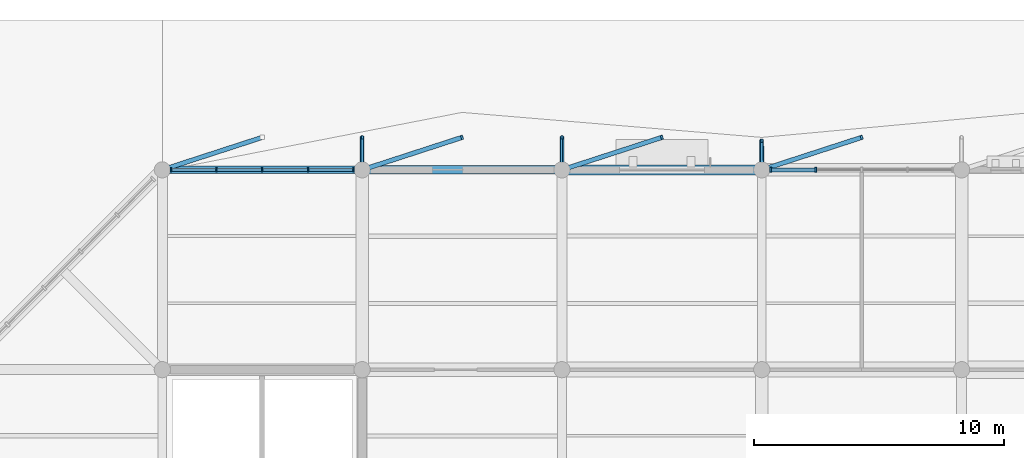
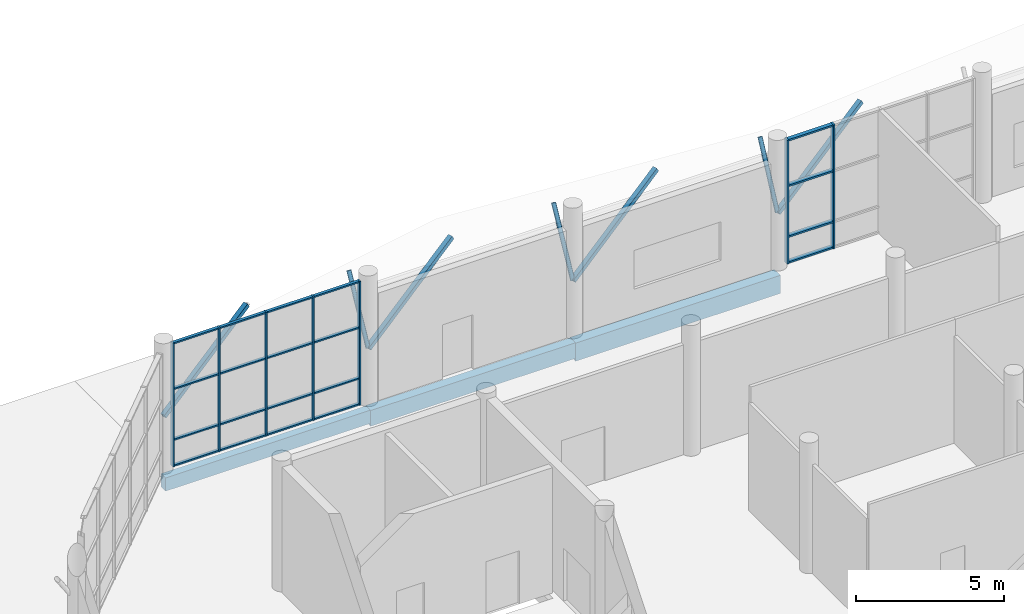
# One storey, part 51 of 123: 34 members, 3 beams, 2 elements without a shape of their own.
"""IFC4 building model written with IfcOpenShell, lengths in metres."""

from ifc_helpers import new_model, si_unit, direction, frame, origin, origin_2d, place, context, subcontext, project, spatial, rectangle, hollow_rectangle, hollow_circle, extrude, material, material_profile, profile_set, type_object, element, aggregate, save


model = new_model("IFC4")

# Units and contexts
model_context = context("Model", 3, precision=1e-05, world=origin(), true_north=direction((0.0, 1.0)))
body_context = subcontext(model_context, "Body", "Model", "MODEL_VIEW")
ifc_project = project(units=[si_unit("LENGTHUNIT", "METRE"), si_unit("AREAUNIT", "SQUARE_METRE"), si_unit("VOLUMEUNIT", "CUBIC_METRE"), si_unit("PLANEANGLEUNIT", "RADIAN"), si_unit("MASSUNIT", "GRAM", prefix="KILO")], contexts=[model_context])

# Site, building, storey
site_placement = place(None, origin())
site = spatial("IfcSite", under=ifc_project, at=site_placement, CompositionType="ELEMENT")
building_placement = place(site_placement, origin())
building = spatial("IfcBuilding", under=site, at=building_placement, Name="Tenunan Teduh Sports Hall", CompositionType="ELEMENT")
storey_placement = place(building_placement, origin())
storey = spatial("IfcBuildingStorey", under=building, at=storey_placement, Name="L00", CompositionType="ELEMENT", Elevation=0.0)

# Beams
ifc_material_1 = material(Name="Concrete C40/50", Category="concrete")
ifc_material_profile_1 = material_profile(ifc_material_1, rectangle(XDim=0.300048828125, YDim=0.550048828125, at=origin_2d()), Name="RCB 300x550")
ifc_profile_set_1 = profile_set([ifc_material_profile_1], Name="Concrete C40/50")
beam_type_1 = type_object("IfcBeamType", Name="BM-RC-300x550", PredefinedType="BEAM", material=ifc_profile_set_1)
beam_1_placement = place(storey_placement, frame((106.0, 118.0, -0.554931640625), z_axis=(1.0, 0.0, 0.0), x_axis=(0.0, 1.0, 0.0)))
element("IfcBeam", 1, at=beam_1_placement, inside=storey, type_object=beam_type_1, Name="BM-B-02-L00-0757", PredefinedType="BEAM", context=body_context, shape_type="SweptSolid", body=[
    extrude(rectangle(XDim=0.300048828125, YDim=0.550048828125, at=origin_2d()), origin(), (0.0, 0.0, 1.0), 8.0),
])
ifc_material_2 = material(Name="Concrete C40/50", Category="concrete")
ifc_material_profile_2 = material_profile(ifc_material_2, rectangle(XDim=0.35009765625, YDim=0.64990234375, at=origin_2d()), Name="RCB 350x650")
ifc_profile_set_2 = profile_set([ifc_material_profile_2], Name="Concrete C40/50")
beam_type_2 = type_object("IfcBeamType", Name="BM-RC-350x650", PredefinedType="BEAM", material=ifc_profile_set_2)
beam_2_placement = place(storey_placement, frame((114.0, 118.0, -0.60498046875), z_axis=(1.0, 0.0, 0.0), x_axis=(0.0, 1.0, 0.0)))
element("IfcBeam", 2, at=beam_2_placement, inside=storey, type_object=beam_type_2, Name="BM-B-05-L00-0758", PredefinedType="BEAM", context=body_context, shape_type="SweptSolid", body=[
    extrude(rectangle(XDim=0.35009765625, YDim=0.64990234375, at=origin_2d()), origin(), (0.0, 0.0, 1.0), 8.0),
])
ifc_material_3 = material(Name="Concrete C40/50", Category="concrete")
ifc_material_profile_3 = material_profile(ifc_material_3, rectangle(XDim=0.39990234375, YDim=0.75, at=origin_2d()), Name="RCB 400x750")
ifc_profile_set_3 = profile_set([ifc_material_profile_3], Name="Concrete C40/50")
beam_type_3 = type_object("IfcBeamType", Name="BM-RC-400x750", PredefinedType="BEAM", material=ifc_profile_set_3)
beam_3_placement = place(storey_placement, frame((122.0, 118.0, -0.655029296875), z_axis=(1.0, 0.0, 0.0), x_axis=(0.0, 1.0, 0.0)))
element("IfcBeam", 3, at=beam_3_placement, inside=storey, type_object=beam_type_3, Name="BM-B-09-L00-0759", PredefinedType="BEAM", context=body_context, shape_type="SweptSolid", body=[
    extrude(rectangle(XDim=0.39990234375, YDim=0.75, at=origin_2d()), origin(), (0.0, 0.0, 1.0), 8.0),
])

# Curtain wall, members
ifc_material_4 = material(Name="Anodised aluminium", Category="aluminium")
curtain_wall_type = type_object("IfcCurtainWallType", Name="CW-UNIT-1", PredefinedType="NOTDEFINED", material=ifc_material_4)
curtain_wall_1_placement = place(storey_placement, origin())
curtain_wall_1 = element("IfcCurtainWall", 4, at=curtain_wall_1_placement, inside=storey, type_object=curtain_wall_type, Name="CW-CWM-150-L00-239", PredefinedType="NOTDEFINED")
ifc_material_5 = material(Name="Anodised aluminium", Category="aluminium")
ifc_material_profile_4 = material_profile(ifc_material_5, rectangle(XDim=0.06005859375, YDim=0.14990234375, at=origin_2d()), Name="CWM 60x150")
ifc_profile_set_4 = profile_set([ifc_material_profile_4], Name="Anodised aluminium")
member_type_1 = type_object("IfcMemberType", Name="CWM-150", PredefinedType="MULLION", material=ifc_profile_set_4)
member_1_placement = place(storey_placement, frame((106.35498046875, 118.0, 0.0), z_axis=(0.0, 0.0, 1.0), x_axis=(1.0, 0.0, 0.0)))
member_1 = element("IfcMember", 5, at=member_1_placement, type_object=member_type_1, Name="CW-01 mullion 1", PredefinedType="MULLION", context=body_context, shape_type="SweptSolid", body=[
    extrude(rectangle(XDim=0.06005859375, YDim=0.14990234375, at=origin_2d()), origin(), (0.0, 0.0, 1.0), 5.1201171875),
])
member_2_placement = place(storey_placement, frame((108.16259765625, 118.0, 0.0), z_axis=(0.0, 0.0, 1.0), x_axis=(1.0, 0.0, 0.0)))
member_2 = element("IfcMember", 6, at=member_2_placement, type_object=member_type_1, Name="CW-01 mullion 2", PredefinedType="MULLION", context=body_context, shape_type="SweptSolid", body=[
    extrude(rectangle(XDim=0.06005859375, YDim=0.14990234375, at=origin_2d()), origin(), (0.0, 0.0, 1.0), 5.1201171875),
])
member_3_placement = place(storey_placement, frame((110.0, 118.0, 0.0), z_axis=(0.0, 0.0, 1.0), x_axis=(1.0, 0.0, 0.0)))
member_3 = element("IfcMember", 7, at=member_3_placement, type_object=member_type_1, Name="CW-01 mullion 3", PredefinedType="MULLION", context=body_context, shape_type="SweptSolid", body=[
    extrude(rectangle(XDim=0.06005859375, YDim=0.14990234375, at=origin_2d()), origin(), (0.0, 0.0, 1.0), 5.1201171875),
])
member_4_placement = place(storey_placement, frame((111.83740234375, 118.0, 0.0), z_axis=(0.0, 0.0, 1.0), x_axis=(1.0, 0.0, 0.0)))
member_4 = element("IfcMember", 8, at=member_4_placement, type_object=member_type_1, Name="CW-01 mullion 4", PredefinedType="MULLION", context=body_context, shape_type="SweptSolid", body=[
    extrude(rectangle(XDim=0.06005859375, YDim=0.14990234375, at=origin_2d()), origin(), (0.0, 0.0, 1.0), 5.1201171875),
])
member_5_placement = place(storey_placement, frame((113.64501953125, 118.0, 0.0), z_axis=(0.0, 0.0, 1.0), x_axis=(1.0, 0.0, 0.0)))
member_5 = element("IfcMember", 9, at=member_5_placement, type_object=member_type_1, Name="CW-01 mullion 5", PredefinedType="MULLION", context=body_context, shape_type="SweptSolid", body=[
    extrude(rectangle(XDim=0.06005859375, YDim=0.14990234375, at=origin_2d()), origin(), (0.0, 0.0, 1.0), 5.1201171875),
])

curtain_wall_2_placement = place(storey_placement, origin())
curtain_wall_2 = element("IfcCurtainWall", 10, at=curtain_wall_2_placement, inside=storey, type_object=curtain_wall_type, Name="CW-CWM-200-L00-240", PredefinedType="NOTDEFINED")
ifc_material_6 = material(Name="Anodised aluminium", Category="aluminium")
ifc_material_profile_5 = material_profile(ifc_material_6, rectangle(XDim=0.070068359375, YDim=0.199951171875, at=origin_2d()), Name="CWM 70x200")
ifc_profile_set_5 = profile_set([ifc_material_profile_5], Name="Anodised aluminium")
member_type_2 = type_object("IfcMemberType", Name="CWM-200", PredefinedType="MULLION", material=ifc_profile_set_5)
member_6_placement = place(storey_placement, frame((130.360107421875, 118.0, 0.0), z_axis=(0.0, 0.0, 1.0), x_axis=(1.0, 0.0, 0.0)))
member_6 = element("IfcMember", 11, at=member_6_placement, type_object=member_type_2, Name="CW-01 mullion 1", PredefinedType="MULLION", context=body_context, shape_type="SweptSolid", body=[
    extrude(rectangle(XDim=0.070068359375, YDim=0.199951171875, at=origin_2d()), origin(), (0.0, 0.0, 1.0), 5.1201171875),
])
member_7_placement = place(storey_placement, frame((132.16259765625, 118.0, 0.0), z_axis=(0.0, 0.0, 1.0), x_axis=(1.0, 0.0, 0.0)))
member_7 = element("IfcMember", 12, at=member_7_placement, type_object=member_type_2, Name="CW-01 mullion 2", PredefinedType="MULLION", context=body_context, shape_type="SweptSolid", body=[
    extrude(rectangle(XDim=0.070068359375, YDim=0.199951171875, at=origin_2d()), origin(), (0.0, 0.0, 1.0), 5.1201171875),
])

# Member
ifc_material_7 = material(Name="Anodised aluminium", Category="aluminium")
ifc_material_profile_6 = material_profile(ifc_material_7, rectangle(XDim=0.06005859375, YDim=0.1201171875, at=origin_2d()), Name="CWT 60x120")
ifc_profile_set_6 = profile_set([ifc_material_profile_6], Name="Anodised aluminium")
member_type_3 = type_object("IfcMemberType", Name="CWT-125", PredefinedType="USERDEFINED", material=ifc_profile_set_6)
member_8_placement = place(storey_placement, frame((106.385009765625, 118.0, 0.030029296875), z_axis=(1.0, 0.0, 0.0), x_axis=(0.0, 0.0, 1.0)))
member_8 = element("IfcMember", 13, at=member_8_placement, type_object=member_type_3, Name="CW-01 transom 1.1", ObjectType="TRANSOM", PredefinedType="USERDEFINED", context=body_context, shape_type="SweptSolid", body=[
    extrude(rectangle(XDim=0.06005859375, YDim=0.1201171875, at=origin_2d()), origin(), (0.0, 0.0, 1.0), 1.74755859375),
])

member_9_placement = place(storey_placement, frame((106.385009765625, 118.0, 1.10009765625), z_axis=(1.0, 0.0, 0.0), x_axis=(0.0, 0.0, 1.0)))
member_9 = element("IfcMember", 14, at=member_9_placement, type_object=member_type_3, Name="CW-01 transom 1.2", ObjectType="TRANSOM", PredefinedType="USERDEFINED", context=body_context, shape_type="SweptSolid", body=[
    extrude(rectangle(XDim=0.06005859375, YDim=0.1201171875, at=origin_2d()), origin(), (0.0, 0.0, 1.0), 1.74755859375),
])

member_10_placement = place(storey_placement, frame((106.385009765625, 118.0, 3.199951171875), z_axis=(1.0, 0.0, 0.0), x_axis=(0.0, 0.0, 1.0)))
member_10 = element("IfcMember", 15, at=member_10_placement, type_object=member_type_3, Name="CW-01 transom 1.3", ObjectType="TRANSOM", PredefinedType="USERDEFINED", context=body_context, shape_type="SweptSolid", body=[
    extrude(rectangle(XDim=0.06005859375, YDim=0.1201171875, at=origin_2d()), origin(), (0.0, 0.0, 1.0), 1.74755859375),
])

member_11_placement = place(storey_placement, frame((106.385009765625, 118.0, 5.090087890625), z_axis=(1.0, 0.0, 0.0), x_axis=(0.0, 0.0, 1.0)))
member_11 = element("IfcMember", 16, at=member_11_placement, type_object=member_type_3, Name="CW-01 transom 1.4", ObjectType="TRANSOM", PredefinedType="USERDEFINED", context=body_context, shape_type="SweptSolid", body=[
    extrude(rectangle(XDim=0.06005859375, YDim=0.1201171875, at=origin_2d()), origin(), (0.0, 0.0, 1.0), 1.74755859375),
])

member_12_placement = place(storey_placement, frame((108.1923828125, 118.0, 0.030029296875), z_axis=(1.0, 0.0, 0.0), x_axis=(0.0, 0.0, 1.0)))
member_12 = element("IfcMember", 17, at=member_12_placement, type_object=member_type_3, Name="CW-01 transom 2.1", ObjectType="TRANSOM", PredefinedType="USERDEFINED", context=body_context, shape_type="SweptSolid", body=[
    extrude(rectangle(XDim=0.06005859375, YDim=0.1201171875, at=origin_2d()), origin(), (0.0, 0.0, 1.0), 1.777587890625),
])

member_13_placement = place(storey_placement, frame((108.1923828125, 118.0, 1.10009765625), z_axis=(1.0, 0.0, 0.0), x_axis=(0.0, 0.0, 1.0)))
member_13 = element("IfcMember", 18, at=member_13_placement, type_object=member_type_3, Name="CW-01 transom 2.2", ObjectType="TRANSOM", PredefinedType="USERDEFINED", context=body_context, shape_type="SweptSolid", body=[
    extrude(rectangle(XDim=0.06005859375, YDim=0.1201171875, at=origin_2d()), origin(), (0.0, 0.0, 1.0), 1.777587890625),
])

member_14_placement = place(storey_placement, frame((108.1923828125, 118.0, 3.199951171875), z_axis=(1.0, 0.0, 0.0), x_axis=(0.0, 0.0, 1.0)))
member_14 = element("IfcMember", 19, at=member_14_placement, type_object=member_type_3, Name="CW-01 transom 2.3", ObjectType="TRANSOM", PredefinedType="USERDEFINED", context=body_context, shape_type="SweptSolid", body=[
    extrude(rectangle(XDim=0.06005859375, YDim=0.1201171875, at=origin_2d()), origin(), (0.0, 0.0, 1.0), 1.777587890625),
])

member_15_placement = place(storey_placement, frame((108.1923828125, 118.0, 5.090087890625), z_axis=(1.0, 0.0, 0.0), x_axis=(0.0, 0.0, 1.0)))
member_15 = element("IfcMember", 20, at=member_15_placement, type_object=member_type_3, Name="CW-01 transom 2.4", ObjectType="TRANSOM", PredefinedType="USERDEFINED", context=body_context, shape_type="SweptSolid", body=[
    extrude(rectangle(XDim=0.06005859375, YDim=0.1201171875, at=origin_2d()), origin(), (0.0, 0.0, 1.0), 1.777587890625),
])

member_16_placement = place(storey_placement, frame((110.030029296875, 118.0, 0.030029296875), z_axis=(1.0, 0.0, 0.0), x_axis=(0.0, 0.0, 1.0)))
member_16 = element("IfcMember", 21, at=member_16_placement, type_object=member_type_3, Name="CW-01 transom 3.1", ObjectType="TRANSOM", PredefinedType="USERDEFINED", context=body_context, shape_type="SweptSolid", body=[
    extrude(rectangle(XDim=0.06005859375, YDim=0.1201171875, at=origin_2d()), origin(), (0.0, 0.0, 1.0), 1.777587890625),
])

member_17_placement = place(storey_placement, frame((110.030029296875, 118.0, 1.10009765625), z_axis=(1.0, 0.0, 0.0), x_axis=(0.0, 0.0, 1.0)))
member_17 = element("IfcMember", 22, at=member_17_placement, type_object=member_type_3, Name="CW-01 transom 3.2", ObjectType="TRANSOM", PredefinedType="USERDEFINED", context=body_context, shape_type="SweptSolid", body=[
    extrude(rectangle(XDim=0.06005859375, YDim=0.1201171875, at=origin_2d()), origin(), (0.0, 0.0, 1.0), 1.777587890625),
])

member_18_placement = place(storey_placement, frame((110.030029296875, 118.0, 3.199951171875), z_axis=(1.0, 0.0, 0.0), x_axis=(0.0, 0.0, 1.0)))
member_18 = element("IfcMember", 23, at=member_18_placement, type_object=member_type_3, Name="CW-01 transom 3.3", ObjectType="TRANSOM", PredefinedType="USERDEFINED", context=body_context, shape_type="SweptSolid", body=[
    extrude(rectangle(XDim=0.06005859375, YDim=0.1201171875, at=origin_2d()), origin(), (0.0, 0.0, 1.0), 1.777587890625),
])

member_19_placement = place(storey_placement, frame((110.030029296875, 118.0, 5.090087890625), z_axis=(1.0, 0.0, 0.0), x_axis=(0.0, 0.0, 1.0)))
member_19 = element("IfcMember", 24, at=member_19_placement, type_object=member_type_3, Name="CW-01 transom 3.4", ObjectType="TRANSOM", PredefinedType="USERDEFINED", context=body_context, shape_type="SweptSolid", body=[
    extrude(rectangle(XDim=0.06005859375, YDim=0.1201171875, at=origin_2d()), origin(), (0.0, 0.0, 1.0), 1.777587890625),
])

member_20_placement = place(storey_placement, frame((111.867431640625, 118.0, 0.030029296875), z_axis=(1.0, 0.0, 0.0), x_axis=(0.0, 0.0, 1.0)))
member_20 = element("IfcMember", 25, at=member_20_placement, type_object=member_type_3, Name="CW-01 transom 4.1", ObjectType="TRANSOM", PredefinedType="USERDEFINED", context=body_context, shape_type="SweptSolid", body=[
    extrude(rectangle(XDim=0.06005859375, YDim=0.1201171875, at=origin_2d()), origin(), (0.0, 0.0, 1.0), 1.74755859375),
])

member_21_placement = place(storey_placement, frame((111.867431640625, 118.0, 1.10009765625), z_axis=(1.0, 0.0, 0.0), x_axis=(0.0, 0.0, 1.0)))
member_21 = element("IfcMember", 26, at=member_21_placement, type_object=member_type_3, Name="CW-01 transom 4.2", ObjectType="TRANSOM", PredefinedType="USERDEFINED", context=body_context, shape_type="SweptSolid", body=[
    extrude(rectangle(XDim=0.06005859375, YDim=0.1201171875, at=origin_2d()), origin(), (0.0, 0.0, 1.0), 1.74755859375),
])

member_22_placement = place(storey_placement, frame((111.867431640625, 118.0, 3.199951171875), z_axis=(1.0, 0.0, 0.0), x_axis=(0.0, 0.0, 1.0)))
member_22 = element("IfcMember", 27, at=member_22_placement, type_object=member_type_3, Name="CW-01 transom 4.3", ObjectType="TRANSOM", PredefinedType="USERDEFINED", context=body_context, shape_type="SweptSolid", body=[
    extrude(rectangle(XDim=0.06005859375, YDim=0.1201171875, at=origin_2d()), origin(), (0.0, 0.0, 1.0), 1.74755859375),
])

member_23_placement = place(storey_placement, frame((111.867431640625, 118.0, 5.090087890625), z_axis=(1.0, 0.0, 0.0), x_axis=(0.0, 0.0, 1.0)))
member_23 = element("IfcMember", 28, at=member_23_placement, type_object=member_type_3, Name="CW-01 transom 4.4", ObjectType="TRANSOM", PredefinedType="USERDEFINED", context=body_context, shape_type="SweptSolid", body=[
    extrude(rectangle(XDim=0.06005859375, YDim=0.1201171875, at=origin_2d()), origin(), (0.0, 0.0, 1.0), 1.74755859375),
])

aggregate(curtain_wall_1, [member_1, member_2, member_3, member_4, member_5, member_8, member_9, member_10, member_11, member_12, member_13, member_14, member_15, member_16, member_17, member_18, member_19, member_20, member_21, member_22, member_23])

ifc_material_8 = material(Name="Anodised aluminium", Category="aluminium")
ifc_material_profile_7 = material_profile(ifc_material_8, rectangle(XDim=0.070068359375, YDim=0.159912109375, at=origin_2d()), Name="CWT 70x160")
ifc_profile_set_7 = profile_set([ifc_material_profile_7], Name="Anodised aluminium")
member_type_4 = type_object("IfcMemberType", Name="CWT-200", PredefinedType="USERDEFINED", material=ifc_profile_set_7)
member_24_placement = place(storey_placement, frame((130.39501953125, 118.0, 0.034912109375), z_axis=(1.0, 0.0, 0.0), x_axis=(0.0, 0.0, 1.0)))
member_24 = element("IfcMember", 29, at=member_24_placement, type_object=member_type_4, Name="CW-01 transom 1.1", ObjectType="TRANSOM", PredefinedType="USERDEFINED", context=body_context, shape_type="SweptSolid", body=[
    extrude(rectangle(XDim=0.070068359375, YDim=0.159912109375, at=origin_2d()), origin(), (0.0, 0.0, 1.0), 1.732421875),
])

member_25_placement = place(storey_placement, frame((130.39501953125, 118.0, 1.10009765625), z_axis=(1.0, 0.0, 0.0), x_axis=(0.0, 0.0, 1.0)))
member_25 = element("IfcMember", 30, at=member_25_placement, type_object=member_type_4, Name="CW-01 transom 1.2", ObjectType="TRANSOM", PredefinedType="USERDEFINED", context=body_context, shape_type="SweptSolid", body=[
    extrude(rectangle(XDim=0.070068359375, YDim=0.159912109375, at=origin_2d()), origin(), (0.0, 0.0, 1.0), 1.732421875),
])

member_26_placement = place(storey_placement, frame((130.39501953125, 118.0, 3.199951171875), z_axis=(1.0, 0.0, 0.0), x_axis=(0.0, 0.0, 1.0)))
member_26 = element("IfcMember", 31, at=member_26_placement, type_object=member_type_4, Name="CW-01 transom 1.3", ObjectType="TRANSOM", PredefinedType="USERDEFINED", context=body_context, shape_type="SweptSolid", body=[
    extrude(rectangle(XDim=0.070068359375, YDim=0.159912109375, at=origin_2d()), origin(), (0.0, 0.0, 1.0), 1.732421875),
])

member_27_placement = place(storey_placement, frame((130.39501953125, 118.0, 5.0849609375), z_axis=(1.0, 0.0, 0.0), x_axis=(0.0, 0.0, 1.0)))
member_27 = element("IfcMember", 32, at=member_27_placement, type_object=member_type_4, Name="CW-01 transom 1.4", ObjectType="TRANSOM", PredefinedType="USERDEFINED", context=body_context, shape_type="SweptSolid", body=[
    extrude(rectangle(XDim=0.070068359375, YDim=0.159912109375, at=origin_2d()), origin(), (0.0, 0.0, 1.0), 1.732421875),
])

aggregate(curtain_wall_2, [member_6, member_7, member_24, member_25, member_26, member_27])

# Members
ifc_material_9 = material(Name="Steel S355", Category="steel")
ifc_material_profile_8 = material_profile(ifc_material_9, hollow_circle(Radius=0.084228515625, WallThickness=0.008056640625, at=origin_2d()), Name="CHS 168.3x8.0")
ifc_profile_set_8 = profile_set([ifc_material_profile_8], Name="Steel S355")
member_type_5 = type_object("IfcMemberType", Name="MEM-BR-CHS168", PredefinedType="BRACE", material=ifc_profile_set_8)
for number, where, z_axis, x_axis, name in (
    (33, (114.0, 118.0, 2.199951171875), (0.0, 0.473219878855, 0.880944349125), (-1.0, 0.0, 0.0), "MEM-GD-04-L00-1147"),
    (34, (122.0, 118.0, 2.199951171875), (0.0, 0.473219878855, 0.880944349125), (-1.0, 0.0, 0.0), "MEM-GD-04-L00-1151"),
):
    element("IfcMember", number, at=place(storey_placement, frame(where, z_axis=z_axis, x_axis=x_axis)), inside=storey, type_object=member_type_5, Name=name, PredefinedType="BRACE", context=body_context, shape_type="SweptSolid", body=[
        extrude(hollow_circle(Radius=0.084228515625, WallThickness=0.008056640625, at=origin_2d()), origin(), (0.0, 0.0, 1.0), 2.747314453125),
    ])
member_28_placement = place(storey_placement, frame((130.0, 118.0, 2.199951171875), z_axis=(-0.001907193651, 0.435294246225, 0.900286222163), x_axis=(-0.999990401851, -0.004381347473, 0.0)))
element("IfcMember", 35, at=member_28_placement, inside=storey, type_object=member_type_5, Name="MEM-GD-04-L00-1155", PredefinedType="BRACE", context=body_context, shape_type="SweptSolid", body=[
    extrude(hollow_circle(Radius=0.084228515625, WallThickness=0.008056640625, at=origin_2d()), origin(), (0.0, 0.0, 1.0), 2.688232421875),
])
ifc_material_10 = material(Name="Steel S355", Category="steel")
ifc_material_profile_9 = material_profile(ifc_material_10, hollow_rectangle(XDim=0.179931640625, YDim=0.179931640625, WallThickness=0.010009765625, at=origin_2d()), Name="SHS 180x180x10.0")
ifc_profile_set_9 = profile_set([ifc_material_profile_9], Name="Steel S355")
member_type_6 = type_object("IfcMemberType", Name="MEM-ST-SHS180", PredefinedType="STRUT", material=ifc_profile_set_9)
for number, where, z_axis, x_axis, name in (
    (36, (106.0, 118.0, 2.199951171875), (0.82430731081, 0.267909938358, 0.498740135014), (-0.309096572498, 0.951030656115, 0.0), "MEM-VS-03-L00-1146"),
    (37, (114.0, 118.0, 2.199951171875), (0.82430731081, 0.267909938358, 0.498740135014), (-0.309096572498, 0.951030656115, 0.0), "MEM-VS-03-L00-1150"),
    (38, (122.0, 118.0, 2.199951171875), (0.82430731081, 0.267909938358, 0.498740135014), (-0.309096572498, 0.951030656115, 0.0), "MEM-VS-03-L00-1154"),
    (39, (130.0, 118.0, 2.199951171875), (0.82430731081, 0.267909938358, 0.498740135014), (-0.309096572498, 0.951030656115, 0.0), "MEM-VS-03-L00-1158"),
):
    element("IfcMember", number, at=place(storey_placement, frame(where, z_axis=z_axis, x_axis=x_axis)), inside=storey, type_object=member_type_6, Name=name, PredefinedType="STRUT", context=body_context, shape_type="SweptSolid", body=[
        extrude(hollow_rectangle(XDim=0.179931640625, YDim=0.179931640625, WallThickness=0.010009765625, at=origin_2d()), origin(), (0.0, 0.0, 1.0), 4.8525390625),
    ])

save(model, "model.ifc")
